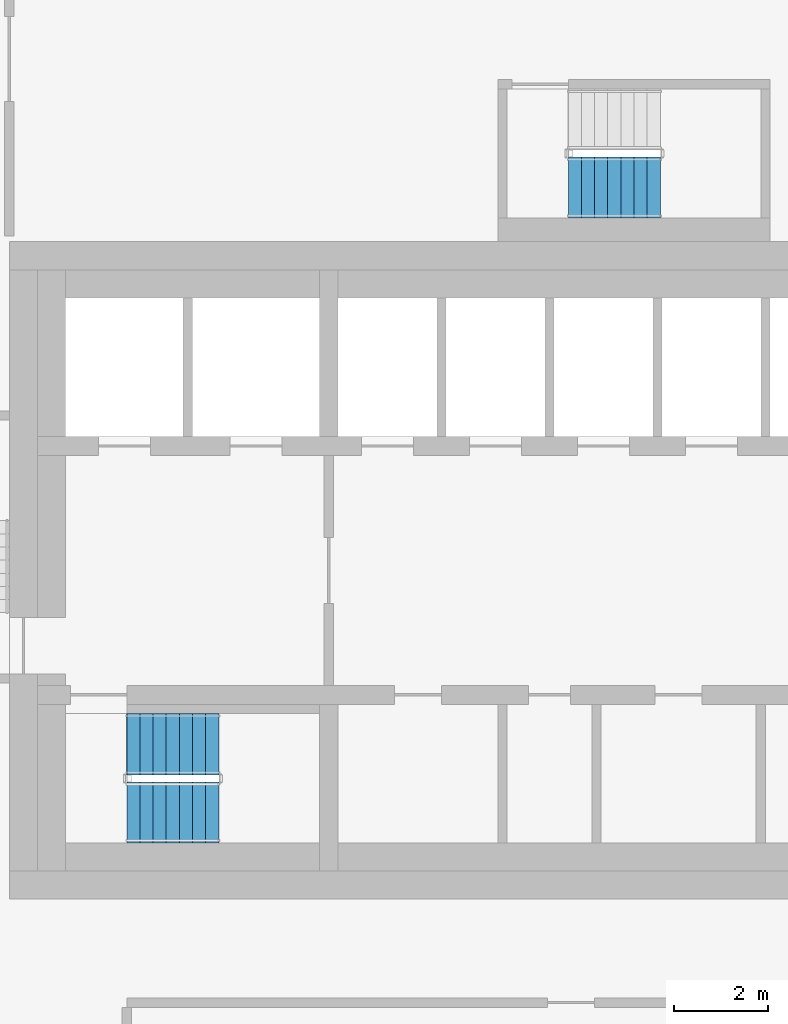
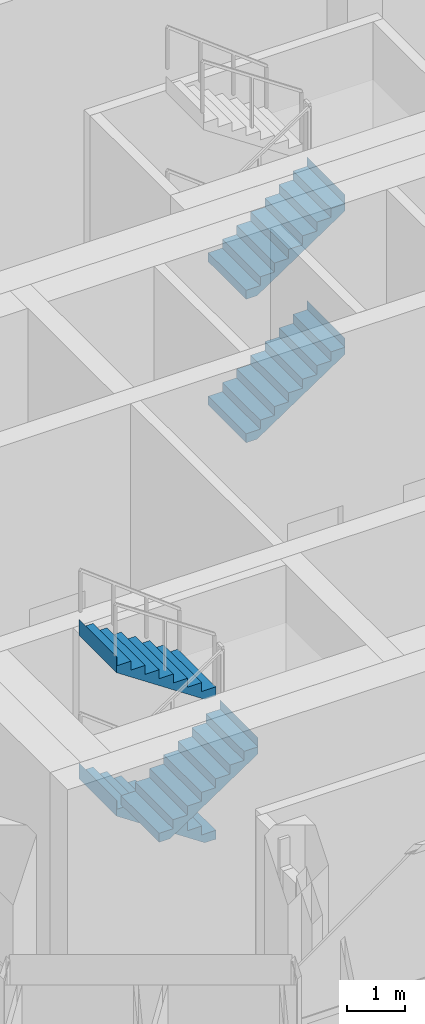
# One storey, part 16 of 23: 5 stair flights, 2 elements without a shape of their own.
"""IFC4 building model written with IfcOpenShell, lengths in metres."""

from ifc_helpers import new_model, si_unit, direction, frame, origin, place, context, subcontext, project, spatial, triangles, material, type_object, element, aggregate, save


model = new_model("IFC4")

# Units and contexts
model_context = context("Model", 3, precision=1e-05, world=origin(), true_north=direction((0.0, 1.0)))
body_context = subcontext(model_context, "Body", "Model", "MODEL_VIEW")
ifc_project = project(units=[si_unit("LENGTHUNIT", "METRE"), si_unit("AREAUNIT", "SQUARE_METRE"), si_unit("VOLUMEUNIT", "CUBIC_METRE"), si_unit("PLANEANGLEUNIT", "RADIAN"), si_unit("MASSUNIT", "GRAM", prefix="KILO")], contexts=[model_context])

# Site, building, storey
site_placement = place(None, origin())
site = spatial("IfcSite", under=ifc_project, at=site_placement, CompositionType="ELEMENT")
building_placement = place(site_placement, origin())
building = spatial("IfcBuilding", under=site, at=building_placement, Name="Beryl Residences", CompositionType="ELEMENT")
storey_placement = place(building_placement, frame((0.0, 0.0, 157.199951171875)))
storey = spatial("IfcBuildingStorey", under=building, at=storey_placement, Name="L48", CompositionType="ELEMENT", Elevation=157.199951171875)

# Stair, stair flights
ifc_material_1 = material(Name="Concrete C40/50", Category="concrete")
stair_type = type_object("IfcStairType", Name="ST1 protected exit stair, half-turn, 1300 mm flights", PredefinedType="HALF_TURN_STAIR", material=ifc_material_1)
stair_1_placement = place(storey_placement, origin())
stair_1 = element("IfcStair", 1, at=stair_1_placement, inside=storey, type_object=stair_type, Name="L48 PROTECTED EXIT STAIR ST-1", PredefinedType="HALF_TURN_STAIR")
ifc_material_2 = material(Name="Concrete C40/50", Category="concrete")
stair_flight_type = type_object("IfcStairFlightType", Name="SF1 stair flight 1300 mm", PredefinedType="STRAIGHT", material=ifc_material_2)
stair_flight_1_placement = place(storey_placement, frame((-8.840087890625, -15.699951171875, 1.5), z_axis=(0.0, 0.0, 1.0), x_axis=(-1.0, 0.0, 0.0)))
stair_flight_1 = element("IfcStairFlight", 2, at=stair_flight_1_placement, type_object=stair_flight_type, Name="ST-1 flight 2", NumberOfRisers=8, NumberOfTreads=7, PredefinedType="STRAIGHT", RiserHeight=0.1875, TreadLength=0.28, context=body_context, shape_type="Tessellation", body=[
    triangles([(0.0, -0.64990234375, 0.0), (0.0, -0.324951171875, 0.0), (0.0, 0.0, 0.0), (0.0, 0.324951171875, 0.0), (0.0, 0.64990234375, 0.0), (0.0, -0.64990234375, 0.1875), (0.0, -0.324951171875, 0.1875), (0.0, 0.0, 0.1875), (0.0, 0.324951171875, 0.1875), (0.0, 0.64990234375, 0.1875), (0.280029296875, -0.64990234375, 0.1875), (0.280029296875, -0.324951171875, 0.1875), (0.280029296875, 0.0, 0.1875), (0.280029296875, 0.324951171875, 0.1875), (0.280029296875, 0.64990234375, 0.1875), (0.280029296875, -0.64990234375, 0.375), (0.280029296875, -0.324951171875, 0.375), (0.280029296875, 0.0, 0.375), (0.280029296875, 0.324951171875, 0.375), (0.280029296875, 0.64990234375, 0.375), (0.56005859375, -0.64990234375, 0.375), (0.56005859375, -0.324951171875, 0.375), (0.56005859375, 0.0, 0.375), (0.56005859375, 0.324951171875, 0.375), (0.56005859375, 0.64990234375, 0.375), (0.56005859375, -0.64990234375, 0.5625), (0.56005859375, -0.324951171875, 0.5625), (0.56005859375, 0.0, 0.5625), (0.56005859375, 0.324951171875, 0.5625), (0.56005859375, 0.64990234375, 0.5625), (0.840087890625, -0.64990234375, 0.5625), (0.840087890625, -0.324951171875, 0.5625), (0.840087890625, 0.0, 0.5625), (0.840087890625, 0.324951171875, 0.5625), (0.840087890625, 0.64990234375, 0.5625), (0.840087890625, -0.64990234375, 0.75), (0.840087890625, -0.324951171875, 0.75), (0.840087890625, 0.0, 0.75), (0.840087890625, 0.324951171875, 0.75), (0.840087890625, 0.64990234375, 0.75), (1.1201171875, -0.64990234375, 0.75), (1.1201171875, -0.324951171875, 0.75), (1.1201171875, 0.0, 0.75), (1.1201171875, 0.324951171875, 0.75), (1.1201171875, 0.64990234375, 0.75), (1.1201171875, -0.64990234375, 0.9375), (1.1201171875, -0.324951171875, 0.9375), (1.1201171875, 0.0, 0.9375), (1.1201171875, 0.324951171875, 0.9375), (1.1201171875, 0.64990234375, 0.9375), (1.39990234375, -0.64990234375, 0.9375), (1.39990234375, -0.324951171875, 0.9375), (1.39990234375, 0.0, 0.9375), (1.39990234375, 0.324951171875, 0.9375), (1.39990234375, 0.64990234375, 0.9375), (1.39990234375, -0.64990234375, 1.125), (1.39990234375, -0.324951171875, 1.125), (1.39990234375, 0.0, 1.125), (1.39990234375, 0.324951171875, 1.125), (1.39990234375, 0.64990234375, 1.125), (1.679931640625, -0.64990234375, 1.125), (1.679931640625, -0.324951171875, 1.125), (1.679931640625, 0.0, 1.125), (1.679931640625, 0.324951171875, 1.125), (1.679931640625, 0.64990234375, 1.125), (1.679931640625, -0.64990234375, 1.3125), (1.679931640625, -0.324951171875, 1.3125), (1.679931640625, 0.0, 1.3125), (1.679931640625, 0.324951171875, 1.3125), (1.679931640625, 0.64990234375, 1.3125), (1.9599609375, -0.64990234375, 1.3125), (1.9599609375, -0.324951171875, 1.3125), (1.9599609375, 0.0, 1.3125), (1.9599609375, 0.324951171875, 1.3125), (1.9599609375, 0.64990234375, 1.3125), (1.9599609375, -0.64990234375, 1.5), (1.9599609375, -0.324951171875, 1.5), (1.9599609375, 0.0, 1.5), (1.9599609375, 0.324951171875, 1.5), (1.9599609375, 0.64990234375, 1.5), (1.9609375, -0.64990234375, 1.5), (1.9609375, -0.324951171875, 1.5), (1.9609375, 0.0, 1.5), (1.9609375, 0.324951171875, 1.5), (1.9609375, 0.64990234375, 1.5), (1.9609375, -0.64990234375, 1.16796875), (1.9609375, -0.324951171875, 1.16796875), (1.9609375, 0.0, 1.16796875), (1.9609375, 0.324951171875, 1.16796875), (1.9609375, 0.64990234375, 1.16796875), (0.216796875, -0.64990234375, 0.0), (0.216796875, -0.324951171875, 0.0), (0.216796875, 0.0, 0.0), (0.216796875, 0.324951171875, 0.0), (0.216796875, 0.64990234375, 0.0)], [[1, 6, 7], [1, 7, 2], [2, 7, 8], [2, 8, 3], [3, 8, 9], [3, 9, 4], [4, 9, 10], [4, 10, 5], [6, 11, 12], [6, 12, 7], [7, 12, 13], [7, 13, 8], [8, 13, 14], [8, 14, 9], [9, 14, 15], [9, 15, 10], [11, 16, 17], [11, 17, 12], [12, 17, 18], [12, 18, 13], [13, 18, 19], [13, 19, 14], [14, 19, 20], [14, 20, 15], [16, 21, 22], [16, 22, 17], [17, 22, 23], [17, 23, 18], [18, 23, 24], [18, 24, 19], [19, 24, 25], [19, 25, 20], [21, 26, 27], [21, 27, 22], [22, 27, 28], [22, 28, 23], [23, 28, 29], [23, 29, 24], [24, 29, 30], [24, 30, 25], [26, 31, 32], [26, 32, 27], [27, 32, 33], [27, 33, 28], [28, 33, 34], [28, 34, 29], [29, 34, 35], [29, 35, 30], [31, 36, 37], [31, 37, 32], [32, 37, 38], [32, 38, 33], [33, 38, 39], [33, 39, 34], [34, 39, 40], [34, 40, 35], [36, 41, 42], [36, 42, 37], [37, 42, 43], [37, 43, 38], [38, 43, 44], [38, 44, 39], [39, 44, 45], [39, 45, 40], [41, 46, 47], [41, 47, 42], [42, 47, 48], [42, 48, 43], [43, 48, 49], [43, 49, 44], [44, 49, 50], [44, 50, 45], [46, 51, 52], [46, 52, 47], [47, 52, 53], [47, 53, 48], [48, 53, 54], [48, 54, 49], [49, 54, 55], [49, 55, 50], [51, 56, 57], [51, 57, 52], [52, 57, 58], [52, 58, 53], [53, 58, 59], [53, 59, 54], [54, 59, 60], [54, 60, 55], [56, 61, 62], [56, 62, 57], [57, 62, 63], [57, 63, 58], [58, 63, 64], [58, 64, 59], [59, 64, 65], [59, 65, 60], [61, 66, 67], [61, 67, 62], [62, 67, 68], [62, 68, 63], [63, 68, 69], [63, 69, 64], [64, 69, 70], [64, 70, 65], [66, 71, 72], [66, 72, 67], [67, 72, 73], [67, 73, 68], [68, 73, 74], [68, 74, 69], [69, 74, 75], [69, 75, 70], [71, 76, 77], [71, 77, 72], [72, 77, 78], [72, 78, 73], [73, 78, 79], [73, 79, 74], [74, 79, 80], [74, 80, 75], [76, 81, 82], [76, 82, 77], [77, 82, 83], [77, 83, 78], [78, 83, 84], [78, 84, 79], [79, 84, 85], [79, 85, 80], [81, 86, 87], [81, 87, 82], [82, 87, 88], [82, 88, 83], [83, 88, 89], [83, 89, 84], [84, 89, 90], [84, 90, 85], [86, 91, 92], [86, 92, 87], [87, 92, 93], [87, 93, 88], [88, 93, 94], [88, 94, 89], [89, 94, 95], [89, 95, 90], [91, 1, 2], [91, 2, 92], [92, 2, 3], [92, 3, 93], [93, 3, 4], [93, 4, 94], [94, 4, 5], [94, 5, 95], [1, 91, 86], [5, 90, 95], [86, 81, 76], [90, 80, 85], [86, 76, 71], [90, 75, 80], [86, 71, 66], [90, 70, 75], [86, 66, 61], [90, 65, 70], [61, 56, 51], [65, 55, 60], [86, 61, 51], [90, 55, 65], [51, 46, 41], [55, 45, 50], [86, 51, 41], [90, 45, 55], [41, 36, 31], [45, 35, 40], [86, 41, 31], [90, 35, 45], [31, 26, 21], [35, 25, 30], [86, 31, 21], [90, 25, 35], [21, 16, 11], [25, 15, 20], [86, 21, 11], [90, 15, 25], [1, 86, 11], [5, 15, 90], [11, 6, 1], [15, 5, 10]], closed=True),
])
stair_flight_2_placement = place(storey_placement, frame((-10.800048828125, -17.14990234375, 3.0), z_axis=(0.0, 0.0, 1.0), x_axis=(1.0, 0.0, 0.0)))
stair_flight_2 = element("IfcStairFlight", 3, at=stair_flight_2_placement, type_object=stair_flight_type, Name="ST-1 flight 3", NumberOfRisers=8, NumberOfTreads=7, PredefinedType="STRAIGHT", RiserHeight=0.1875, TreadLength=0.28, context=body_context, shape_type="Tessellation", body=[
    triangles([(0.0, -0.64990234375, 0.0), (0.0, -0.324951171875, 0.0), (0.0, 0.0, 0.0), (0.0, 0.324951171875, 0.0), (0.0, 0.64990234375, 0.0), (0.0, -0.64990234375, 0.1875), (0.0, -0.324951171875, 0.1875), (0.0, 0.0, 0.1875), (0.0, 0.324951171875, 0.1875), (0.0, 0.64990234375, 0.1875), (0.280029296875, -0.64990234375, 0.1875), (0.280029296875, -0.324951171875, 0.1875), (0.280029296875, 0.0, 0.1875), (0.280029296875, 0.324951171875, 0.1875), (0.280029296875, 0.64990234375, 0.1875), (0.280029296875, -0.64990234375, 0.375), (0.280029296875, -0.324951171875, 0.375), (0.280029296875, 0.0, 0.375), (0.280029296875, 0.324951171875, 0.375), (0.280029296875, 0.64990234375, 0.375), (0.56005859375, -0.64990234375, 0.375), (0.56005859375, -0.324951171875, 0.375), (0.56005859375, 0.0, 0.375), (0.56005859375, 0.324951171875, 0.375), (0.56005859375, 0.64990234375, 0.375), (0.56005859375, -0.64990234375, 0.5625), (0.56005859375, -0.324951171875, 0.5625), (0.56005859375, 0.0, 0.5625), (0.56005859375, 0.324951171875, 0.5625), (0.56005859375, 0.64990234375, 0.5625), (0.840087890625, -0.64990234375, 0.5625), (0.840087890625, -0.324951171875, 0.5625), (0.840087890625, 0.0, 0.5625), (0.840087890625, 0.324951171875, 0.5625), (0.840087890625, 0.64990234375, 0.5625), (0.840087890625, -0.64990234375, 0.75), (0.840087890625, -0.324951171875, 0.75), (0.840087890625, 0.0, 0.75), (0.840087890625, 0.324951171875, 0.75), (0.840087890625, 0.64990234375, 0.75), (1.1201171875, -0.64990234375, 0.75), (1.1201171875, -0.324951171875, 0.75), (1.1201171875, 0.0, 0.75), (1.1201171875, 0.324951171875, 0.75), (1.1201171875, 0.64990234375, 0.75), (1.1201171875, -0.64990234375, 0.9375), (1.1201171875, -0.324951171875, 0.9375), (1.1201171875, 0.0, 0.9375), (1.1201171875, 0.324951171875, 0.9375), (1.1201171875, 0.64990234375, 0.9375), (1.39990234375, -0.64990234375, 0.9375), (1.39990234375, -0.324951171875, 0.9375), (1.39990234375, 0.0, 0.9375), (1.39990234375, 0.324951171875, 0.9375), (1.39990234375, 0.64990234375, 0.9375), (1.39990234375, -0.64990234375, 1.125), (1.39990234375, -0.324951171875, 1.125), (1.39990234375, 0.0, 1.125), (1.39990234375, 0.324951171875, 1.125), (1.39990234375, 0.64990234375, 1.125), (1.679931640625, -0.64990234375, 1.125), (1.679931640625, -0.324951171875, 1.125), (1.679931640625, 0.0, 1.125), (1.679931640625, 0.324951171875, 1.125), (1.679931640625, 0.64990234375, 1.125), (1.679931640625, -0.64990234375, 1.3125), (1.679931640625, -0.324951171875, 1.3125), (1.679931640625, 0.0, 1.3125), (1.679931640625, 0.324951171875, 1.3125), (1.679931640625, 0.64990234375, 1.3125), (1.9599609375, -0.64990234375, 1.3125), (1.9599609375, -0.324951171875, 1.3125), (1.9599609375, 0.0, 1.3125), (1.9599609375, 0.324951171875, 1.3125), (1.9599609375, 0.64990234375, 1.3125), (1.9599609375, -0.64990234375, 1.5), (1.9599609375, -0.324951171875, 1.5), (1.9599609375, 0.0, 1.5), (1.9599609375, 0.324951171875, 1.5), (1.9599609375, 0.64990234375, 1.5), (1.9609375, -0.64990234375, 1.5), (1.9609375, -0.324951171875, 1.5), (1.9609375, 0.0, 1.5), (1.9609375, 0.324951171875, 1.5), (1.9609375, 0.64990234375, 1.5), (1.9609375, -0.64990234375, 1.16796875), (1.9609375, -0.324951171875, 1.16796875), (1.9609375, 0.0, 1.16796875), (1.9609375, 0.324951171875, 1.16796875), (1.9609375, 0.64990234375, 1.16796875), (0.216796875, -0.64990234375, 0.0), (0.216796875, -0.324951171875, 0.0), (0.216796875, 0.0, 0.0), (0.216796875, 0.324951171875, 0.0), (0.216796875, 0.64990234375, 0.0)], [[1, 6, 7], [1, 7, 2], [2, 7, 8], [2, 8, 3], [3, 8, 9], [3, 9, 4], [4, 9, 10], [4, 10, 5], [6, 11, 12], [6, 12, 7], [7, 12, 13], [7, 13, 8], [8, 13, 14], [8, 14, 9], [9, 14, 15], [9, 15, 10], [11, 16, 17], [11, 17, 12], [12, 17, 18], [12, 18, 13], [13, 18, 19], [13, 19, 14], [14, 19, 20], [14, 20, 15], [16, 21, 22], [16, 22, 17], [17, 22, 23], [17, 23, 18], [18, 23, 24], [18, 24, 19], [19, 24, 25], [19, 25, 20], [21, 26, 27], [21, 27, 22], [22, 27, 28], [22, 28, 23], [23, 28, 29], [23, 29, 24], [24, 29, 30], [24, 30, 25], [26, 31, 32], [26, 32, 27], [27, 32, 33], [27, 33, 28], [28, 33, 34], [28, 34, 29], [29, 34, 35], [29, 35, 30], [31, 36, 37], [31, 37, 32], [32, 37, 38], [32, 38, 33], [33, 38, 39], [33, 39, 34], [34, 39, 40], [34, 40, 35], [36, 41, 42], [36, 42, 37], [37, 42, 43], [37, 43, 38], [38, 43, 44], [38, 44, 39], [39, 44, 45], [39, 45, 40], [41, 46, 47], [41, 47, 42], [42, 47, 48], [42, 48, 43], [43, 48, 49], [43, 49, 44], [44, 49, 50], [44, 50, 45], [46, 51, 52], [46, 52, 47], [47, 52, 53], [47, 53, 48], [48, 53, 54], [48, 54, 49], [49, 54, 55], [49, 55, 50], [51, 56, 57], [51, 57, 52], [52, 57, 58], [52, 58, 53], [53, 58, 59], [53, 59, 54], [54, 59, 60], [54, 60, 55], [56, 61, 62], [56, 62, 57], [57, 62, 63], [57, 63, 58], [58, 63, 64], [58, 64, 59], [59, 64, 65], [59, 65, 60], [61, 66, 67], [61, 67, 62], [62, 67, 68], [62, 68, 63], [63, 68, 69], [63, 69, 64], [64, 69, 70], [64, 70, 65], [66, 71, 72], [66, 72, 67], [67, 72, 73], [67, 73, 68], [68, 73, 74], [68, 74, 69], [69, 74, 75], [69, 75, 70], [71, 76, 77], [71, 77, 72], [72, 77, 78], [72, 78, 73], [73, 78, 79], [73, 79, 74], [74, 79, 80], [74, 80, 75], [76, 81, 82], [76, 82, 77], [77, 82, 83], [77, 83, 78], [78, 83, 84], [78, 84, 79], [79, 84, 85], [79, 85, 80], [81, 86, 87], [81, 87, 82], [82, 87, 88], [82, 88, 83], [83, 88, 89], [83, 89, 84], [84, 89, 90], [84, 90, 85], [86, 91, 92], [86, 92, 87], [87, 92, 93], [87, 93, 88], [88, 93, 94], [88, 94, 89], [89, 94, 95], [89, 95, 90], [91, 1, 2], [91, 2, 92], [92, 2, 3], [92, 3, 93], [93, 3, 4], [93, 4, 94], [94, 4, 5], [94, 5, 95], [1, 91, 86], [5, 90, 95], [86, 81, 76], [90, 80, 85], [86, 76, 71], [90, 75, 80], [86, 71, 66], [90, 70, 75], [86, 66, 61], [90, 65, 70], [61, 56, 51], [65, 55, 60], [86, 61, 51], [90, 55, 65], [51, 46, 41], [55, 45, 50], [86, 51, 41], [90, 45, 55], [41, 36, 31], [45, 35, 40], [86, 41, 31], [90, 35, 45], [31, 26, 21], [35, 25, 30], [86, 31, 21], [90, 25, 35], [21, 16, 11], [25, 15, 20], [86, 21, 11], [90, 15, 25], [1, 86, 11], [5, 15, 90], [11, 6, 1], [15, 5, 10]], closed=True),
])
stair_flight_3_placement = place(storey_placement, frame((-8.840087890625, -15.699951171875, 4.5), z_axis=(0.0, 0.0, 1.0), x_axis=(-1.0, 0.0, 0.0)))
stair_flight_3 = element("IfcStairFlight", 4, at=stair_flight_3_placement, type_object=stair_flight_type, Name="ST-1 flight 4", NumberOfRisers=8, NumberOfTreads=7, PredefinedType="STRAIGHT", RiserHeight=0.1875, TreadLength=0.28, context=body_context, shape_type="Tessellation", body=[
    triangles([(0.0, -0.64990234375, 0.0), (0.0, -0.324951171875, 0.0), (0.0, 0.0, 0.0), (0.0, 0.324951171875, 0.0), (0.0, 0.64990234375, 0.0), (0.0, -0.64990234375, 0.1875), (0.0, -0.324951171875, 0.1875), (0.0, 0.0, 0.1875), (0.0, 0.324951171875, 0.1875), (0.0, 0.64990234375, 0.1875), (0.280029296875, -0.64990234375, 0.1875), (0.280029296875, -0.324951171875, 0.1875), (0.280029296875, 0.0, 0.1875), (0.280029296875, 0.324951171875, 0.1875), (0.280029296875, 0.64990234375, 0.1875), (0.280029296875, -0.64990234375, 0.375), (0.280029296875, -0.324951171875, 0.375), (0.280029296875, 0.0, 0.375), (0.280029296875, 0.324951171875, 0.375), (0.280029296875, 0.64990234375, 0.375), (0.56005859375, -0.64990234375, 0.375), (0.56005859375, -0.324951171875, 0.375), (0.56005859375, 0.0, 0.375), (0.56005859375, 0.324951171875, 0.375), (0.56005859375, 0.64990234375, 0.375), (0.56005859375, -0.64990234375, 0.5625), (0.56005859375, -0.324951171875, 0.5625), (0.56005859375, 0.0, 0.5625), (0.56005859375, 0.324951171875, 0.5625), (0.56005859375, 0.64990234375, 0.5625), (0.840087890625, -0.64990234375, 0.5625), (0.840087890625, -0.324951171875, 0.5625), (0.840087890625, 0.0, 0.5625), (0.840087890625, 0.324951171875, 0.5625), (0.840087890625, 0.64990234375, 0.5625), (0.840087890625, -0.64990234375, 0.75), (0.840087890625, -0.324951171875, 0.75), (0.840087890625, 0.0, 0.75), (0.840087890625, 0.324951171875, 0.75), (0.840087890625, 0.64990234375, 0.75), (1.1201171875, -0.64990234375, 0.75), (1.1201171875, -0.324951171875, 0.75), (1.1201171875, 0.0, 0.75), (1.1201171875, 0.324951171875, 0.75), (1.1201171875, 0.64990234375, 0.75), (1.1201171875, -0.64990234375, 0.9375), (1.1201171875, -0.324951171875, 0.9375), (1.1201171875, 0.0, 0.9375), (1.1201171875, 0.324951171875, 0.9375), (1.1201171875, 0.64990234375, 0.9375), (1.39990234375, -0.64990234375, 0.9375), (1.39990234375, -0.324951171875, 0.9375), (1.39990234375, 0.0, 0.9375), (1.39990234375, 0.324951171875, 0.9375), (1.39990234375, 0.64990234375, 0.9375), (1.39990234375, -0.64990234375, 1.125), (1.39990234375, -0.324951171875, 1.125), (1.39990234375, 0.0, 1.125), (1.39990234375, 0.324951171875, 1.125), (1.39990234375, 0.64990234375, 1.125), (1.679931640625, -0.64990234375, 1.125), (1.679931640625, -0.324951171875, 1.125), (1.679931640625, 0.0, 1.125), (1.679931640625, 0.324951171875, 1.125), (1.679931640625, 0.64990234375, 1.125), (1.679931640625, -0.64990234375, 1.3125), (1.679931640625, -0.324951171875, 1.3125), (1.679931640625, 0.0, 1.3125), (1.679931640625, 0.324951171875, 1.3125), (1.679931640625, 0.64990234375, 1.3125), (1.9599609375, -0.64990234375, 1.3125), (1.9599609375, -0.324951171875, 1.3125), (1.9599609375, 0.0, 1.3125), (1.9599609375, 0.324951171875, 1.3125), (1.9599609375, 0.64990234375, 1.3125), (1.9599609375, -0.64990234375, 1.5), (1.9599609375, -0.324951171875, 1.5), (1.9599609375, 0.0, 1.5), (1.9599609375, 0.324951171875, 1.5), (1.9599609375, 0.64990234375, 1.5), (1.9609375, -0.64990234375, 1.5), (1.9609375, -0.324951171875, 1.5), (1.9609375, 0.0, 1.5), (1.9609375, 0.324951171875, 1.5), (1.9609375, 0.64990234375, 1.5), (1.9609375, -0.64990234375, 1.16796875), (1.9609375, -0.324951171875, 1.16796875), (1.9609375, 0.0, 1.16796875), (1.9609375, 0.324951171875, 1.16796875), (1.9609375, 0.64990234375, 1.16796875), (0.216796875, -0.64990234375, 0.0), (0.216796875, -0.324951171875, 0.0), (0.216796875, 0.0, 0.0), (0.216796875, 0.324951171875, 0.0), (0.216796875, 0.64990234375, 0.0)], [[1, 6, 7], [1, 7, 2], [2, 7, 8], [2, 8, 3], [3, 8, 9], [3, 9, 4], [4, 9, 10], [4, 10, 5], [6, 11, 12], [6, 12, 7], [7, 12, 13], [7, 13, 8], [8, 13, 14], [8, 14, 9], [9, 14, 15], [9, 15, 10], [11, 16, 17], [11, 17, 12], [12, 17, 18], [12, 18, 13], [13, 18, 19], [13, 19, 14], [14, 19, 20], [14, 20, 15], [16, 21, 22], [16, 22, 17], [17, 22, 23], [17, 23, 18], [18, 23, 24], [18, 24, 19], [19, 24, 25], [19, 25, 20], [21, 26, 27], [21, 27, 22], [22, 27, 28], [22, 28, 23], [23, 28, 29], [23, 29, 24], [24, 29, 30], [24, 30, 25], [26, 31, 32], [26, 32, 27], [27, 32, 33], [27, 33, 28], [28, 33, 34], [28, 34, 29], [29, 34, 35], [29, 35, 30], [31, 36, 37], [31, 37, 32], [32, 37, 38], [32, 38, 33], [33, 38, 39], [33, 39, 34], [34, 39, 40], [34, 40, 35], [36, 41, 42], [36, 42, 37], [37, 42, 43], [37, 43, 38], [38, 43, 44], [38, 44, 39], [39, 44, 45], [39, 45, 40], [41, 46, 47], [41, 47, 42], [42, 47, 48], [42, 48, 43], [43, 48, 49], [43, 49, 44], [44, 49, 50], [44, 50, 45], [46, 51, 52], [46, 52, 47], [47, 52, 53], [47, 53, 48], [48, 53, 54], [48, 54, 49], [49, 54, 55], [49, 55, 50], [51, 56, 57], [51, 57, 52], [52, 57, 58], [52, 58, 53], [53, 58, 59], [53, 59, 54], [54, 59, 60], [54, 60, 55], [56, 61, 62], [56, 62, 57], [57, 62, 63], [57, 63, 58], [58, 63, 64], [58, 64, 59], [59, 64, 65], [59, 65, 60], [61, 66, 67], [61, 67, 62], [62, 67, 68], [62, 68, 63], [63, 68, 69], [63, 69, 64], [64, 69, 70], [64, 70, 65], [66, 71, 72], [66, 72, 67], [67, 72, 73], [67, 73, 68], [68, 73, 74], [68, 74, 69], [69, 74, 75], [69, 75, 70], [71, 76, 77], [71, 77, 72], [72, 77, 78], [72, 78, 73], [73, 78, 79], [73, 79, 74], [74, 79, 80], [74, 80, 75], [76, 81, 82], [76, 82, 77], [77, 82, 83], [77, 83, 78], [78, 83, 84], [78, 84, 79], [79, 84, 85], [79, 85, 80], [81, 86, 87], [81, 87, 82], [82, 87, 88], [82, 88, 83], [83, 88, 89], [83, 89, 84], [84, 89, 90], [84, 90, 85], [86, 91, 92], [86, 92, 87], [87, 92, 93], [87, 93, 88], [88, 93, 94], [88, 94, 89], [89, 94, 95], [89, 95, 90], [91, 1, 2], [91, 2, 92], [92, 2, 3], [92, 3, 93], [93, 3, 4], [93, 4, 94], [94, 4, 5], [94, 5, 95], [1, 91, 86], [5, 90, 95], [86, 81, 76], [90, 80, 85], [86, 76, 71], [90, 75, 80], [86, 71, 66], [90, 70, 75], [86, 66, 61], [90, 65, 70], [61, 56, 51], [65, 55, 60], [86, 61, 51], [90, 55, 65], [51, 46, 41], [55, 45, 50], [86, 51, 41], [90, 45, 55], [41, 36, 31], [45, 35, 40], [86, 41, 31], [90, 35, 45], [31, 26, 21], [35, 25, 30], [86, 31, 21], [90, 25, 35], [21, 16, 11], [25, 15, 20], [86, 21, 11], [90, 15, 25], [1, 86, 11], [5, 15, 90], [11, 6, 1], [15, 5, 10]], closed=True),
])
aggregate(stair_1, [stair_flight_1, stair_flight_2, stair_flight_3])

stair_2_placement = place(storey_placement, origin())
stair_2 = element("IfcStair", 5, at=stair_2_placement, inside=storey, type_object=stair_type, Name="L48 PROTECTED EXIT STAIR ST-4", PredefinedType="HALF_TURN_STAIR")
stair_flight_4_placement = place(storey_placement, frame((-1.39990234375, -3.85009765625, 0.0), z_axis=(0.0, 0.0, 1.0), x_axis=(1.0, 0.0, 0.0)))
stair_flight_4 = element("IfcStairFlight", 6, at=stair_flight_4_placement, type_object=stair_flight_type, Name="ST-4 flight 1", NumberOfRisers=8, NumberOfTreads=7, PredefinedType="STRAIGHT", RiserHeight=0.1875, TreadLength=0.28, context=body_context, shape_type="Tessellation", body=[
    triangles([(0.0, -0.64990234375, 0.0), (0.0, -0.324951171875, 0.0), (0.0, 0.0, 0.0), (0.0, 0.324951171875, 0.0), (0.0, 0.64990234375, 0.0), (0.0, -0.64990234375, 0.1875), (0.0, -0.324951171875, 0.1875), (0.0, 0.0, 0.1875), (0.0, 0.324951171875, 0.1875), (0.0, 0.64990234375, 0.1875), (0.280029296875, -0.64990234375, 0.1875), (0.280029296875, -0.324951171875, 0.1875), (0.280029296875, 0.0, 0.1875), (0.280029296875, 0.324951171875, 0.1875), (0.280029296875, 0.64990234375, 0.1875), (0.280029296875, -0.64990234375, 0.375), (0.280029296875, -0.324951171875, 0.375), (0.280029296875, 0.0, 0.375), (0.280029296875, 0.324951171875, 0.375), (0.280029296875, 0.64990234375, 0.375), (0.56005859375, -0.64990234375, 0.375), (0.56005859375, -0.324951171875, 0.375), (0.56005859375, 0.0, 0.375), (0.56005859375, 0.324951171875, 0.375), (0.56005859375, 0.64990234375, 0.375), (0.56005859375, -0.64990234375, 0.5625), (0.56005859375, -0.324951171875, 0.5625), (0.56005859375, 0.0, 0.5625), (0.56005859375, 0.324951171875, 0.5625), (0.56005859375, 0.64990234375, 0.5625), (0.840087890625, -0.64990234375, 0.5625), (0.840087890625, -0.324951171875, 0.5625), (0.840087890625, 0.0, 0.5625), (0.840087890625, 0.324951171875, 0.5625), (0.840087890625, 0.64990234375, 0.5625), (0.840087890625, -0.64990234375, 0.75), (0.840087890625, -0.324951171875, 0.75), (0.840087890625, 0.0, 0.75), (0.840087890625, 0.324951171875, 0.75), (0.840087890625, 0.64990234375, 0.75), (1.1201171875, -0.64990234375, 0.75), (1.1201171875, -0.324951171875, 0.75), (1.1201171875, 0.0, 0.75), (1.1201171875, 0.324951171875, 0.75), (1.1201171875, 0.64990234375, 0.75), (1.1201171875, -0.64990234375, 0.9375), (1.1201171875, -0.324951171875, 0.9375), (1.1201171875, 0.0, 0.9375), (1.1201171875, 0.324951171875, 0.9375), (1.1201171875, 0.64990234375, 0.9375), (1.39990234375, -0.64990234375, 0.9375), (1.39990234375, -0.324951171875, 0.9375), (1.39990234375, 0.0, 0.9375), (1.39990234375, 0.324951171875, 0.9375), (1.39990234375, 0.64990234375, 0.9375), (1.39990234375, -0.64990234375, 1.125), (1.39990234375, -0.324951171875, 1.125), (1.39990234375, 0.0, 1.125), (1.39990234375, 0.324951171875, 1.125), (1.39990234375, 0.64990234375, 1.125), (1.679931640625, -0.64990234375, 1.125), (1.679931640625, -0.324951171875, 1.125), (1.679931640625, 0.0, 1.125), (1.679931640625, 0.324951171875, 1.125), (1.679931640625, 0.64990234375, 1.125), (1.679931640625, -0.64990234375, 1.3125), (1.679931640625, -0.324951171875, 1.3125), (1.679931640625, 0.0, 1.3125), (1.679931640625, 0.324951171875, 1.3125), (1.679931640625, 0.64990234375, 1.3125), (1.9599609375, -0.64990234375, 1.3125), (1.9599609375, -0.324951171875, 1.3125), (1.9599609375, 0.0, 1.3125), (1.9599609375, 0.324951171875, 1.3125), (1.9599609375, 0.64990234375, 1.3125), (1.9599609375, -0.64990234375, 1.5), (1.9599609375, -0.324951171875, 1.5), (1.9599609375, 0.0, 1.5), (1.9599609375, 0.324951171875, 1.5), (1.9599609375, 0.64990234375, 1.5), (1.9609375, -0.64990234375, 1.5), (1.9609375, -0.324951171875, 1.5), (1.9609375, 0.0, 1.5), (1.9609375, 0.324951171875, 1.5), (1.9609375, 0.64990234375, 1.5), (1.9609375, -0.64990234375, 1.16796875), (1.9609375, -0.324951171875, 1.16796875), (1.9609375, 0.0, 1.16796875), (1.9609375, 0.324951171875, 1.16796875), (1.9609375, 0.64990234375, 1.16796875), (0.216796875, -0.64990234375, 0.0), (0.216796875, -0.324951171875, 0.0), (0.216796875, 0.0, 0.0), (0.216796875, 0.324951171875, 0.0), (0.216796875, 0.64990234375, 0.0)], [[1, 6, 7], [1, 7, 2], [2, 7, 8], [2, 8, 3], [3, 8, 9], [3, 9, 4], [4, 9, 10], [4, 10, 5], [6, 11, 12], [6, 12, 7], [7, 12, 13], [7, 13, 8], [8, 13, 14], [8, 14, 9], [9, 14, 15], [9, 15, 10], [11, 16, 17], [11, 17, 12], [12, 17, 18], [12, 18, 13], [13, 18, 19], [13, 19, 14], [14, 19, 20], [14, 20, 15], [16, 21, 22], [16, 22, 17], [17, 22, 23], [17, 23, 18], [18, 23, 24], [18, 24, 19], [19, 24, 25], [19, 25, 20], [21, 26, 27], [21, 27, 22], [22, 27, 28], [22, 28, 23], [23, 28, 29], [23, 29, 24], [24, 29, 30], [24, 30, 25], [26, 31, 32], [26, 32, 27], [27, 32, 33], [27, 33, 28], [28, 33, 34], [28, 34, 29], [29, 34, 35], [29, 35, 30], [31, 36, 37], [31, 37, 32], [32, 37, 38], [32, 38, 33], [33, 38, 39], [33, 39, 34], [34, 39, 40], [34, 40, 35], [36, 41, 42], [36, 42, 37], [37, 42, 43], [37, 43, 38], [38, 43, 44], [38, 44, 39], [39, 44, 45], [39, 45, 40], [41, 46, 47], [41, 47, 42], [42, 47, 48], [42, 48, 43], [43, 48, 49], [43, 49, 44], [44, 49, 50], [44, 50, 45], [46, 51, 52], [46, 52, 47], [47, 52, 53], [47, 53, 48], [48, 53, 54], [48, 54, 49], [49, 54, 55], [49, 55, 50], [51, 56, 57], [51, 57, 52], [52, 57, 58], [52, 58, 53], [53, 58, 59], [53, 59, 54], [54, 59, 60], [54, 60, 55], [56, 61, 62], [56, 62, 57], [57, 62, 63], [57, 63, 58], [58, 63, 64], [58, 64, 59], [59, 64, 65], [59, 65, 60], [61, 66, 67], [61, 67, 62], [62, 67, 68], [62, 68, 63], [63, 68, 69], [63, 69, 64], [64, 69, 70], [64, 70, 65], [66, 71, 72], [66, 72, 67], [67, 72, 73], [67, 73, 68], [68, 73, 74], [68, 74, 69], [69, 74, 75], [69, 75, 70], [71, 76, 77], [71, 77, 72], [72, 77, 78], [72, 78, 73], [73, 78, 79], [73, 79, 74], [74, 79, 80], [74, 80, 75], [76, 81, 82], [76, 82, 77], [77, 82, 83], [77, 83, 78], [78, 83, 84], [78, 84, 79], [79, 84, 85], [79, 85, 80], [81, 86, 87], [81, 87, 82], [82, 87, 88], [82, 88, 83], [83, 88, 89], [83, 89, 84], [84, 89, 90], [84, 90, 85], [86, 91, 92], [86, 92, 87], [87, 92, 93], [87, 93, 88], [88, 93, 94], [88, 94, 89], [89, 94, 95], [89, 95, 90], [91, 1, 2], [91, 2, 92], [92, 2, 3], [92, 3, 93], [93, 3, 4], [93, 4, 94], [94, 4, 5], [94, 5, 95], [1, 91, 86], [5, 90, 95], [86, 81, 76], [90, 80, 85], [86, 76, 71], [90, 75, 80], [86, 71, 66], [90, 70, 75], [86, 66, 61], [90, 65, 70], [61, 56, 51], [65, 55, 60], [86, 61, 51], [90, 55, 65], [51, 46, 41], [55, 45, 50], [86, 51, 41], [90, 45, 55], [41, 36, 31], [45, 35, 40], [86, 41, 31], [90, 35, 45], [31, 26, 21], [35, 25, 30], [86, 31, 21], [90, 25, 35], [21, 16, 11], [25, 15, 20], [86, 21, 11], [90, 15, 25], [1, 86, 11], [5, 15, 90], [11, 6, 1], [15, 5, 10]], closed=True),
])
stair_flight_5_placement = place(storey_placement, frame((-1.39990234375, -3.85009765625, 3.0), z_axis=(0.0, 0.0, 1.0), x_axis=(1.0, 0.0, 0.0)))
stair_flight_5 = element("IfcStairFlight", 7, at=stair_flight_5_placement, type_object=stair_flight_type, Name="ST-4 flight 3", NumberOfRisers=8, NumberOfTreads=7, PredefinedType="STRAIGHT", RiserHeight=0.1875, TreadLength=0.28, context=body_context, shape_type="Tessellation", body=[
    triangles([(0.0, -0.64990234375, 0.0), (0.0, -0.324951171875, 0.0), (0.0, 0.0, 0.0), (0.0, 0.324951171875, 0.0), (0.0, 0.64990234375, 0.0), (0.0, -0.64990234375, 0.1875), (0.0, -0.324951171875, 0.1875), (0.0, 0.0, 0.1875), (0.0, 0.324951171875, 0.1875), (0.0, 0.64990234375, 0.1875), (0.280029296875, -0.64990234375, 0.1875), (0.280029296875, -0.324951171875, 0.1875), (0.280029296875, 0.0, 0.1875), (0.280029296875, 0.324951171875, 0.1875), (0.280029296875, 0.64990234375, 0.1875), (0.280029296875, -0.64990234375, 0.375), (0.280029296875, -0.324951171875, 0.375), (0.280029296875, 0.0, 0.375), (0.280029296875, 0.324951171875, 0.375), (0.280029296875, 0.64990234375, 0.375), (0.56005859375, -0.64990234375, 0.375), (0.56005859375, -0.324951171875, 0.375), (0.56005859375, 0.0, 0.375), (0.56005859375, 0.324951171875, 0.375), (0.56005859375, 0.64990234375, 0.375), (0.56005859375, -0.64990234375, 0.5625), (0.56005859375, -0.324951171875, 0.5625), (0.56005859375, 0.0, 0.5625), (0.56005859375, 0.324951171875, 0.5625), (0.56005859375, 0.64990234375, 0.5625), (0.840087890625, -0.64990234375, 0.5625), (0.840087890625, -0.324951171875, 0.5625), (0.840087890625, 0.0, 0.5625), (0.840087890625, 0.324951171875, 0.5625), (0.840087890625, 0.64990234375, 0.5625), (0.840087890625, -0.64990234375, 0.75), (0.840087890625, -0.324951171875, 0.75), (0.840087890625, 0.0, 0.75), (0.840087890625, 0.324951171875, 0.75), (0.840087890625, 0.64990234375, 0.75), (1.1201171875, -0.64990234375, 0.75), (1.1201171875, -0.324951171875, 0.75), (1.1201171875, 0.0, 0.75), (1.1201171875, 0.324951171875, 0.75), (1.1201171875, 0.64990234375, 0.75), (1.1201171875, -0.64990234375, 0.9375), (1.1201171875, -0.324951171875, 0.9375), (1.1201171875, 0.0, 0.9375), (1.1201171875, 0.324951171875, 0.9375), (1.1201171875, 0.64990234375, 0.9375), (1.39990234375, -0.64990234375, 0.9375), (1.39990234375, -0.324951171875, 0.9375), (1.39990234375, 0.0, 0.9375), (1.39990234375, 0.324951171875, 0.9375), (1.39990234375, 0.64990234375, 0.9375), (1.39990234375, -0.64990234375, 1.125), (1.39990234375, -0.324951171875, 1.125), (1.39990234375, 0.0, 1.125), (1.39990234375, 0.324951171875, 1.125), (1.39990234375, 0.64990234375, 1.125), (1.679931640625, -0.64990234375, 1.125), (1.679931640625, -0.324951171875, 1.125), (1.679931640625, 0.0, 1.125), (1.679931640625, 0.324951171875, 1.125), (1.679931640625, 0.64990234375, 1.125), (1.679931640625, -0.64990234375, 1.3125), (1.679931640625, -0.324951171875, 1.3125), (1.679931640625, 0.0, 1.3125), (1.679931640625, 0.324951171875, 1.3125), (1.679931640625, 0.64990234375, 1.3125), (1.9599609375, -0.64990234375, 1.3125), (1.9599609375, -0.324951171875, 1.3125), (1.9599609375, 0.0, 1.3125), (1.9599609375, 0.324951171875, 1.3125), (1.9599609375, 0.64990234375, 1.3125), (1.9599609375, -0.64990234375, 1.5), (1.9599609375, -0.324951171875, 1.5), (1.9599609375, 0.0, 1.5), (1.9599609375, 0.324951171875, 1.5), (1.9599609375, 0.64990234375, 1.5), (1.9609375, -0.64990234375, 1.5), (1.9609375, -0.324951171875, 1.5), (1.9609375, 0.0, 1.5), (1.9609375, 0.324951171875, 1.5), (1.9609375, 0.64990234375, 1.5), (1.9609375, -0.64990234375, 1.16796875), (1.9609375, -0.324951171875, 1.16796875), (1.9609375, 0.0, 1.16796875), (1.9609375, 0.324951171875, 1.16796875), (1.9609375, 0.64990234375, 1.16796875), (0.216796875, -0.64990234375, 0.0), (0.216796875, -0.324951171875, 0.0), (0.216796875, 0.0, 0.0), (0.216796875, 0.324951171875, 0.0), (0.216796875, 0.64990234375, 0.0)], [[1, 6, 7], [1, 7, 2], [2, 7, 8], [2, 8, 3], [3, 8, 9], [3, 9, 4], [4, 9, 10], [4, 10, 5], [6, 11, 12], [6, 12, 7], [7, 12, 13], [7, 13, 8], [8, 13, 14], [8, 14, 9], [9, 14, 15], [9, 15, 10], [11, 16, 17], [11, 17, 12], [12, 17, 18], [12, 18, 13], [13, 18, 19], [13, 19, 14], [14, 19, 20], [14, 20, 15], [16, 21, 22], [16, 22, 17], [17, 22, 23], [17, 23, 18], [18, 23, 24], [18, 24, 19], [19, 24, 25], [19, 25, 20], [21, 26, 27], [21, 27, 22], [22, 27, 28], [22, 28, 23], [23, 28, 29], [23, 29, 24], [24, 29, 30], [24, 30, 25], [26, 31, 32], [26, 32, 27], [27, 32, 33], [27, 33, 28], [28, 33, 34], [28, 34, 29], [29, 34, 35], [29, 35, 30], [31, 36, 37], [31, 37, 32], [32, 37, 38], [32, 38, 33], [33, 38, 39], [33, 39, 34], [34, 39, 40], [34, 40, 35], [36, 41, 42], [36, 42, 37], [37, 42, 43], [37, 43, 38], [38, 43, 44], [38, 44, 39], [39, 44, 45], [39, 45, 40], [41, 46, 47], [41, 47, 42], [42, 47, 48], [42, 48, 43], [43, 48, 49], [43, 49, 44], [44, 49, 50], [44, 50, 45], [46, 51, 52], [46, 52, 47], [47, 52, 53], [47, 53, 48], [48, 53, 54], [48, 54, 49], [49, 54, 55], [49, 55, 50], [51, 56, 57], [51, 57, 52], [52, 57, 58], [52, 58, 53], [53, 58, 59], [53, 59, 54], [54, 59, 60], [54, 60, 55], [56, 61, 62], [56, 62, 57], [57, 62, 63], [57, 63, 58], [58, 63, 64], [58, 64, 59], [59, 64, 65], [59, 65, 60], [61, 66, 67], [61, 67, 62], [62, 67, 68], [62, 68, 63], [63, 68, 69], [63, 69, 64], [64, 69, 70], [64, 70, 65], [66, 71, 72], [66, 72, 67], [67, 72, 73], [67, 73, 68], [68, 73, 74], [68, 74, 69], [69, 74, 75], [69, 75, 70], [71, 76, 77], [71, 77, 72], [72, 77, 78], [72, 78, 73], [73, 78, 79], [73, 79, 74], [74, 79, 80], [74, 80, 75], [76, 81, 82], [76, 82, 77], [77, 82, 83], [77, 83, 78], [78, 83, 84], [78, 84, 79], [79, 84, 85], [79, 85, 80], [81, 86, 87], [81, 87, 82], [82, 87, 88], [82, 88, 83], [83, 88, 89], [83, 89, 84], [84, 89, 90], [84, 90, 85], [86, 91, 92], [86, 92, 87], [87, 92, 93], [87, 93, 88], [88, 93, 94], [88, 94, 89], [89, 94, 95], [89, 95, 90], [91, 1, 2], [91, 2, 92], [92, 2, 3], [92, 3, 93], [93, 3, 4], [93, 4, 94], [94, 4, 5], [94, 5, 95], [1, 91, 86], [5, 90, 95], [86, 81, 76], [90, 80, 85], [86, 76, 71], [90, 75, 80], [86, 71, 66], [90, 70, 75], [86, 66, 61], [90, 65, 70], [61, 56, 51], [65, 55, 60], [86, 61, 51], [90, 55, 65], [51, 46, 41], [55, 45, 50], [86, 51, 41], [90, 45, 55], [41, 36, 31], [45, 35, 40], [86, 41, 31], [90, 35, 45], [31, 26, 21], [35, 25, 30], [86, 31, 21], [90, 25, 35], [21, 16, 11], [25, 15, 20], [86, 21, 11], [90, 15, 25], [1, 86, 11], [5, 15, 90], [11, 6, 1], [15, 5, 10]], closed=True),
])
aggregate(stair_2, [stair_flight_4, stair_flight_5])

save(model, "model.ifc")
